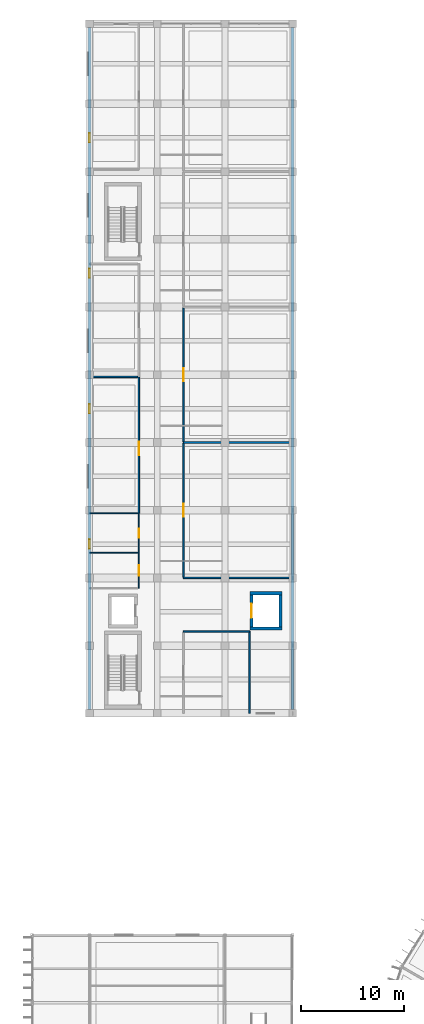
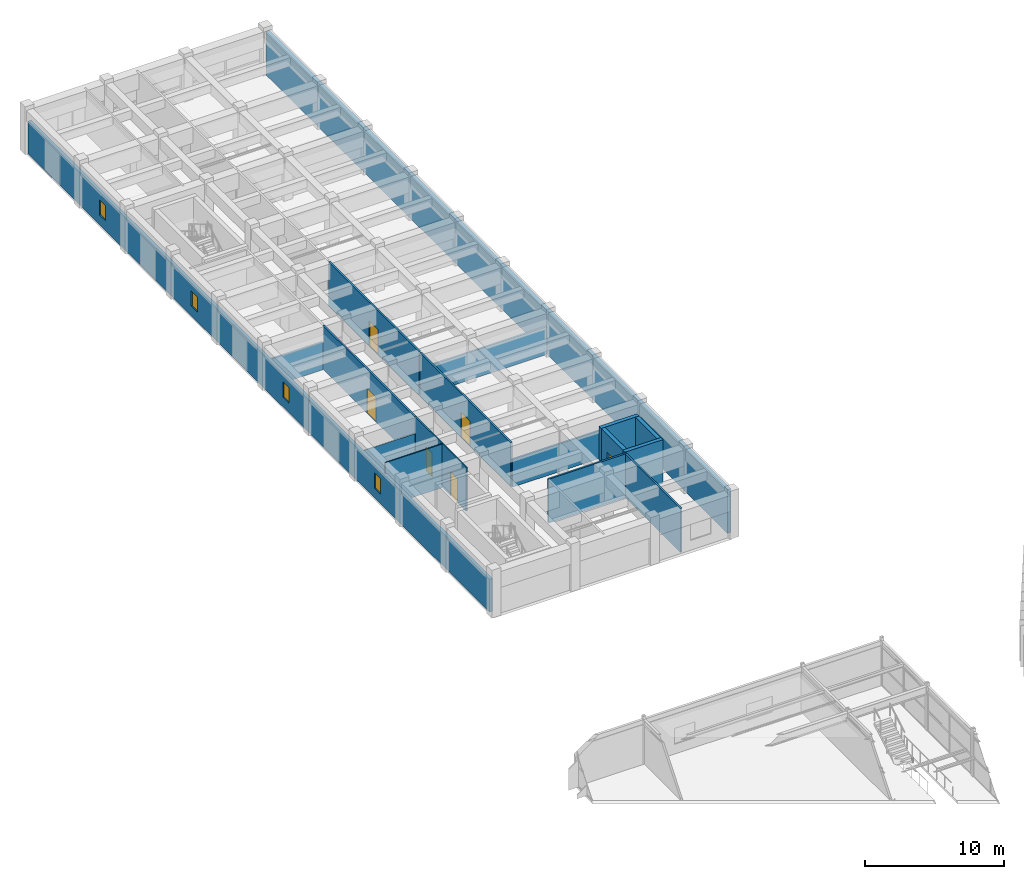
# One storey, part 127 of 148: 18 walls, 6 doors, 4 windows, 10 openings.
"""IFC4 building model written with IfcOpenShell, lengths in metres."""

import ifcopenshell
import ifcopenshell.guid

model = None  # the IFC model being written
_history = None  # IfcOwnerHistory: only IFC2X3 demands one
_inside = {}  # id of a spatial element -> (the spatial element, [elements in it])
_under = {}  # id of a project, library or spatial element -> (it, [spatial elements below it])
_declared = {}  # id of a project -> (the project, [libraries it declares])
_typed = {}  # id of a type object -> (the type object, [elements of that type])
_made_of = {}  # id of a material, layer set ... -> (it, [elements and type objects made of it])


def new_model(schema):
    """Start an empty IFC model of exactly this schema.

    Asked for "IFC4X3", IfcOpenShell would pick the latest addendum, in which some entities
    have other attributes; the version numbers below select the first issue.
    IFC2X3 requires an IfcOwnerHistory on every rooted entity: one is made here for all.
    """
    global model, _history
    if schema == "IFC4X3":
        model = ifcopenshell.file(schema_version=(4, 3, 0, 0))
    else:
        model = ifcopenshell.file(schema=schema)
    _inside.clear()
    _under.clear()
    _declared.clear()
    _typed.clear()
    _made_of.clear()
    _history = None
    if model.schema == "IFC2X3":
        org = make("IfcOrganization", Name="unknown")
        user = make(
            "IfcPersonAndOrganization",
            ThePerson=make("IfcPerson", FamilyName="unknown"),
            TheOrganization=org,
        )
        app = make(
            "IfcApplication",
            ApplicationDeveloper=org,
            Version="unknown",
            ApplicationFullName="unknown",
            ApplicationIdentifier="unknown",
        )
        _history = make(
            "IfcOwnerHistory",
            OwningUser=user,
            OwningApplication=app,
            ChangeAction="ADDED",
            CreationDate=0,
        )
    return model


def make(cls, **values):
    """One entity of the class cls with the attributes given. An attribute that is None is left unset."""
    return model.create_entity(
        cls, **{name: value for name, value in values.items() if value is not None}
    )


def rooted(cls, **values):
    """An entity with a GlobalId (a new one), such as an element, a storey or a relation."""
    return make(cls, GlobalId=ifcopenshell.guid.new(), OwnerHistory=_history, **values)


def si_unit(unit_type, name, prefix=None):
    """IfcSIUnit, for example si_unit("LENGTHUNIT", "METRE", prefix="MILLI")."""
    return make("IfcSIUnit", UnitType=unit_type, Prefix=prefix, Name=name)


def assignment(units):
    """IfcUnitAssignment: the units of a project."""
    return None if units is None else make("IfcUnitAssignment", Units=units)


def point(xyz):
    """IfcCartesianPoint."""
    return None if xyz is None else make("IfcCartesianPoint", Coordinates=xyz)


def direction(xyz):
    """IfcDirection."""
    return None if xyz is None else make("IfcDirection", DirectionRatios=xyz)


def frame(location, z_axis=None, x_axis=None):
    """IfcAxis2Placement3D, a coordinate frame: its origin and axes. An axis left out is left unset."""
    return make(
        "IfcAxis2Placement3D",
        Location=point(location),
        Axis=direction(z_axis),
        RefDirection=direction(x_axis),
    )


def frame_2d(location, x_axis=None):
    """IfcAxis2Placement2D, a coordinate frame in the plane: its origin and x axis."""
    return make(
        "IfcAxis2Placement2D", Location=point(location), RefDirection=direction(x_axis)
    )


def origin():
    """The frame at (0, 0, 0) with its axes left unset."""
    return frame((0.0, 0.0, 0.0))


def place(relative_to, where):
    """IfcLocalPlacement: puts the frame where relative to a parent placement (None: the world)."""
    return make(
        "IfcLocalPlacement", PlacementRelTo=relative_to, RelativePlacement=where
    )


def context(
    kind, dimensions, precision=None, world=None, true_north=None, identifier=None
):
    """IfcGeometricRepresentationContext, for example the 3D "Model" context."""
    return make(
        "IfcGeometricRepresentationContext",
        ContextIdentifier=identifier,
        ContextType=kind,
        CoordinateSpaceDimension=dimensions,
        Precision=precision,
        WorldCoordinateSystem=world,
        TrueNorth=true_north,
    )


def subcontext(parent, identifier, kind, view, scale=None):
    """IfcGeometricRepresentationSubContext, for example "Body" below "Model"."""
    return make(
        "IfcGeometricRepresentationSubContext",
        ContextIdentifier=identifier,
        ContextType=kind,
        ParentContext=parent,
        TargetScale=scale,
        TargetView=view,
    )


def project(units=None, contexts=None):
    """IfcProject with its units and contexts."""
    return rooted(
        "IfcProject",
        Name="project",
        RepresentationContexts=contexts,
        UnitsInContext=assignment(units),
    )


def spatial(cls, under=None, at=None, **own):
    """A site, building, storey or space (cls), placed at a placement, below another one or the project."""
    s = rooted(cls, ObjectPlacement=at, **own)
    if under is not None:
        _under.setdefault(under.id(), (under, []))[1].append(s)
    return s


def profile(cls, at=None, kind="AREA", **sizes):
    """A parametric profile (cls). Its sizes go by their IFC names, for example OverallWidth=200.0."""
    return make(cls, ProfileType=kind, Position=at, **sizes)


def rectangle(**sizes):
    """IfcRectangleProfileDef."""
    return profile("IfcRectangleProfileDef", **sizes)


def extrude(swept, where, along, depth):
    """IfcExtrudedAreaSolid: the profile swept, set in the frame where, extruded along a direction by depth."""
    return make(
        "IfcExtrudedAreaSolid",
        SweptArea=swept,
        Position=where,
        ExtrudedDirection=direction(along),
        Depth=depth,
    )


def shape(context_of_items, identifier, shape_type, items):
    """IfcShapeRepresentation: the items that make up one representation, for example the "Body"."""
    return make(
        "IfcShapeRepresentation",
        ContextOfItems=context_of_items,
        RepresentationIdentifier=identifier,
        RepresentationType=shape_type,
        Items=items,
    )


def material(Name=None, Category=None):
    """IfcMaterial."""
    return make("IfcMaterial", Name=Name, Category=Category)


def layer(
    of_material, thickness, ventilated=None, Name=None, Category=None, Priority=None
):
    """IfcMaterialLayer: one layer of a wall or slab, of a material (None: an air gap)."""
    return make(
        "IfcMaterialLayer",
        Material=of_material,
        LayerThickness=thickness,
        IsVentilated=ventilated,
        Name=Name,
        Category=Category,
        Priority=Priority,
    )


def layer_set(layers, Name=None):
    """IfcMaterialLayerSet."""
    return make("IfcMaterialLayerSet", MaterialLayers=layers, LayerSetName=Name)


def made_of(thing, what):
    """Note that an element or type object is made of a material, layer set ...; save() writes the relation."""
    if what is not None:
        _made_of.setdefault(what.id(), (what, []))[1].append(thing)
    return thing


def type_object(cls, material=None, **own):
    """A type object (cls), such as IfcWallType, which elements share."""
    return made_of(rooted(cls, **own), material)


def element(
    cls,
    number,
    at=None,
    inside=None,
    cuts=None,
    type_object=None,
    material=None,
    context=None,
    identifier="Body",
    shape_type=None,
    held_by="IfcProductDefinitionShape",
    body=None,
    shapes=None,
    **own,
):
    """One element of the class cls, such as IfcWall. Its Tag is "e" and its number.

    at: its placement. inside: the storey or other place that contains it. cuts: it is an
    opening in that element (IfcRelVoidsElement). A single representation is given by context,
    identifier, shape_type and body (its items); several are given by shapes. held_by: the class
    of the entity that holds the representations. save() writes the other relations.
    """
    e = rooted(cls, Tag="e%d" % number, ObjectPlacement=at, **own)
    if body is not None:
        shapes = [shape(context, identifier, shape_type, body)]
    if shapes is not None:
        e.Representation = make(held_by, Representations=shapes)
    if inside is not None:
        _inside.setdefault(inside.id(), (inside, []))[1].append(e)
    if cuts is not None:
        rooted(
            "IfcRelVoidsElement", RelatingBuildingElement=cuts, RelatedOpeningElement=e
        )
    if type_object is not None:
        _typed.setdefault(type_object.id(), (type_object, []))[1].append(e)
    return made_of(e, material)


def fill(opening, filler):
    """IfcRelFillsElement: the door or window that sits in an opening."""
    return rooted(
        "IfcRelFillsElement",
        RelatingOpeningElement=opening,
        RelatedBuildingElement=filler,
    )


def aggregate(whole, parts):
    """IfcRelAggregates: a whole, such as a stair, and the parts it consists of."""
    return rooted("IfcRelAggregates", RelatingObject=whole, RelatedObjects=parts)


def save(model, path):
    """Write the relations noted so far, then the file.

    IfcRelAggregates (storeys below a building ...), IfcRelContainedInSpatialStructure (elements
    in a storey), IfcRelDefinesByType, IfcRelAssociatesMaterial and IfcRelDeclares: one each for
    every whole, place, type object, material and project.
    """
    for whole, parts in _under.values():
        aggregate(whole, parts)
    for where, things in _inside.values():
        rooted(
            "IfcRelContainedInSpatialStructure",
            RelatedElements=things,
            RelatingStructure=where,
        )
    for kind, things in _typed.values():
        rooted("IfcRelDefinesByType", RelatedObjects=things, RelatingType=kind)
    for what, things in _made_of.values():
        rooted("IfcRelAssociatesMaterial", RelatedObjects=things, RelatingMaterial=what)
    for by, libraries in _declared.values():
        rooted("IfcRelDeclares", RelatingContext=by, RelatedDefinitions=libraries)
    model.write(path)


model = new_model("IFC4")

# Units and contexts
model_context = context("Model", 3, precision=1e-05, world=origin(), true_north=direction((0.0, 1.0)))
body_context = subcontext(model_context, "Body", "Model", "MODEL_VIEW")
ifc_project = project(units=[si_unit("LENGTHUNIT", "METRE"), si_unit("AREAUNIT", "SQUARE_METRE"), si_unit("VOLUMEUNIT", "CUBIC_METRE"), si_unit("PLANEANGLEUNIT", "RADIAN"), si_unit("MASSUNIT", "GRAM", prefix="KILO")], contexts=[model_context])

# Site, building, storey
site_placement = place(None, origin())
site = spatial("IfcSite", under=ifc_project, at=site_placement, CompositionType="ELEMENT")
building_placement = place(site_placement, origin())
building = spatial("IfcBuilding", under=site, at=building_placement, Name="Karori Crest Natural Sciences Institute", CompositionType="ELEMENT")
storey_placement = place(building_placement, frame((0.0, 0.0, 4.89990234375)))
storey = spatial("IfcBuildingStorey", under=building, at=storey_placement, Name="L01", CompositionType="ELEMENT", Elevation=4.89990234375)

# Walls
ifc_material_1 = material(Name="Concrete 50 MPa", Category="concrete")
ifc_layer_1 = layer(ifc_material_1, 0.320068359375, Name="Concrete 50 MPa")
ifc_layer_set_1 = layer_set([ifc_layer_1], Name="Concrete 50 MPa")
wall_type_1 = type_object("IfcWallType", Name="IWT-03", PredefinedType="SHEAR", material=ifc_layer_set_1)
for number, where, z_axis, x_axis, name in (
    (1, (23.02001953125, 103.280029296875, 0.0), (0.0, 0.0, 1.0), (1.0, 0.0, 0.0), "Shear wall IW-0527"),
    (2, (23.02001953125, 106.719970703125, 0.0), (0.0, 0.0, 1.0), (1.0, 0.0, 0.0), "Shear wall IW-0528"),
):
    element("IfcWall", number, at=place(storey_placement, frame(where, z_axis=z_axis, x_axis=x_axis)), inside=storey, type_object=wall_type_1, Name=name, PredefinedType="SHEAR", context=body_context, shape_type="SweptSolid", body=[
        extrude(rectangle(XDim=3.159912109375, YDim=0.320068359375, at=frame_2d((1.580078125, 0.0))), origin(), (0.0, 0.0, 1.0), 3.85009765625),
    ])

# Wall, opening, door
wall_1_placement = place(storey_placement, frame((23.179931640625, 103.44189453125, 0.0), z_axis=(0.0, 0.0, 1.0), x_axis=(0.0, 1.0, 0.0)))
wall_1 = element("IfcWall", 3, at=wall_1_placement, inside=storey, type_object=wall_type_1, Name="Shear wall IW-0529", PredefinedType="SHEAR", context=body_context, shape_type="SweptSolid", body=[
    extrude(rectangle(XDim=3.1162109375, YDim=0.320068359375, at=frame_2d((1.55810546875, 0.0))), origin(), (0.0, 0.0, 1.0), 3.85009765625),
])
opening_1_placement = place(wall_1_placement, frame((0.85791015625, 0.0, 0.0)))
opening_1 = element("IfcOpeningElement", 4, at=opening_1_placement, cuts=wall_1, Name="Opening LD-0058", PredefinedType="OPENING", context=body_context, shape_type="SweptSolid", body=[
    extrude(rectangle(XDim=1.39990234375, YDim=2.25, at=frame_2d((0.699951171875, 1.125))), frame((0.0, 0.169921875, 0.0), z_axis=(0.0, -1.0, 0.0), x_axis=(1.0, 0.0, 0.0)), (0.0, 0.0, 1.0), 0.340087890625),
])
ifc_material_2 = material(Name="Stainless steel 316 and fire-rated timber", Category="steel")
door_type_1 = type_object("IfcDoorType", Name="LDT-03", OperationType="DOUBLE_DOOR_SLIDING", PredefinedType="DOOR", material=ifc_material_2)
door_1_placement = place(opening_1_placement, origin())
door_1 = element("IfcDoor", 5, at=door_1_placement, inside=storey, type_object=door_type_1, Name="Lift LG-01 landing door LD-0058", OperationType="DOUBLE_DOOR_SLIDING", OverallHeight=2.25, OverallWidth=1.39990234375, PredefinedType="DOOR", context=body_context, shape_type="SweptSolid", body=[
    extrude(rectangle(XDim=1.39990234375, YDim=2.25, at=frame_2d((0.699951171875, 1.125))), frame((0.0, 0.02490234375, 0.0), z_axis=(0.0, -1.0, 0.0), x_axis=(1.0, 0.0, 0.0)), (0.0, 0.0, 1.0), 0.050048828125),
])
fill(opening_1, door_1)

# Walls
wall_2_placement = place(storey_placement, frame((26.02001953125, 103.44189453125, 0.0), z_axis=(0.0, 0.0, 1.0), x_axis=(0.0, 1.0, 0.0)))
element("IfcWall", 6, at=wall_2_placement, inside=storey, type_object=wall_type_1, Name="Shear wall IW-0530", PredefinedType="SHEAR", context=body_context, shape_type="SweptSolid", body=[
    extrude(rectangle(XDim=3.1162109375, YDim=0.320068359375, at=frame_2d((1.55810546875, 0.0))), origin(), (0.0, 0.0, 1.0), 3.85009765625),
])
ifc_material_3 = material(Name="Clean-room insulated fire partition")
ifc_layer_2 = layer(ifc_material_3, 0.14990234375, Name="Clean-room insulated fire partition")
ifc_layer_set_2 = layer_set([ifc_layer_2], Name="Clean-room insulated fire partition")
wall_type_2 = type_object("IfcWallType", Name="IWT-06", PredefinedType="PARTITIONING", material=ifc_layer_set_2)
wall_3_placement = place(storey_placement, frame((7.39990234375, 127.800048828125, 0.0), z_axis=(0.0, 0.0, 1.0), x_axis=(1.0, 0.0, 0.0)))
element("IfcWall", 7, at=wall_3_placement, inside=storey, type_object=wall_type_2, Name="Partition wall IW-0941", PredefinedType="PARTITIONING", context=body_context, shape_type="SweptSolid", body=[
    extrude(rectangle(XDim=4.697998046875, YDim=0.14990234375, at=frame_2d((2.34912109375, 0.0))), origin(), (0.0, 0.0, 1.0), 2.43505859375),
])

# Wall, opening, door
wall_4_placement = place(storey_placement, frame((12.199951171875, 114.501953125, 0.0), z_axis=(0.0, 0.0, 1.0), x_axis=(0.0, 1.0, 0.0)))
wall_4 = element("IfcWall", 8, at=wall_4_placement, inside=storey, type_object=wall_type_2, Name="Partition wall IW-0942", PredefinedType="PARTITIONING", context=body_context, shape_type="SweptSolid", body=[
    extrude(rectangle(XDim=13.298095703125, YDim=0.14990234375, at=frame_2d((6.64892578125, 0.0))), origin(), (0.0, 0.0, 1.0), 3.85009765625),
])
opening_2_placement = place(wall_4_placement, frame((5.64892578125, 0.0, 0.0)))
opening_2 = element("IfcOpeningElement", 9, at=opening_2_placement, cuts=wall_4, Name="Opening ID-0244", PredefinedType="OPENING", context=body_context, shape_type="SweptSolid", body=[
    extrude(rectangle(XDim=1.300048828125, YDim=2.199951171875, at=frame_2d((0.64990234375, 1.10009765625))), frame((0.0, 0.0849609375, 0.0), z_axis=(0.0, -1.0, 0.0), x_axis=(1.0, 0.0, 0.0)), (0.0, 0.0, 1.0), 0.169921875),
])
door_type_2 = type_object("IfcDoorType", Name="IDT-04", OperationType="NOTDEFINED", PredefinedType="DOOR", material=ifc_material_2)
door_2_placement = place(opening_2_placement, origin())
door_2 = element("IfcDoor", 10, at=door_2_placement, inside=storey, type_object=door_type_2, Name="Clean-Room Gowning Airlock Suite door ID-0244", OperationType="SINGLE_SWING_RIGHT", OverallHeight=2.199951171875, OverallWidth=1.300048828125, PredefinedType="DOOR", context=body_context, shape_type="SweptSolid", body=[
    extrude(rectangle(XDim=1.300048828125, YDim=2.199951171875, at=frame_2d((0.64990234375, 1.10009765625))), frame((0.0, 0.02490234375, 0.0), z_axis=(0.0, -1.0, 0.0), x_axis=(1.0, 0.0, 0.0)), (0.0, 0.0, 1.0), 0.050048828125),
])
fill(opening_2, door_2)

# Walls
wall_5_placement = place(storey_placement, frame((16.550048828125, 103.0, 0.0), z_axis=(0.0, 0.0, 1.0), x_axis=(1.0, 0.0, 0.0)))
element("IfcWall", 11, at=wall_5_placement, inside=storey, type_object=wall_type_2, Name="Partition wall IW-0947", PredefinedType="PARTITIONING", context=body_context, shape_type="SweptSolid", body=[
    extrude(rectangle(XDim=6.449951171875, YDim=0.14990234375, at=frame_2d((3.22509765625, 0.0))), origin(), (0.0, 0.0, 1.0), 3.85009765625),
])
wall_6_placement = place(storey_placement, frame((23.0, 95.0, 0.0), z_axis=(0.0, 0.0, 1.0), x_axis=(0.0, 1.0, 0.0)))
element("IfcWall", 12, at=wall_6_placement, inside=storey, type_object=wall_type_2, Name="Partition wall IW-0949", PredefinedType="PARTITIONING", context=body_context, shape_type="SweptSolid", body=[
    extrude(rectangle(XDim=8.0, YDim=0.14990234375, at=frame_2d((4.0, 0.0))), origin(), (0.0, 0.0, 1.0), 3.85009765625),
])
for number, where, z_axis, x_axis, name in (
    (13, (16.550048828125, 108.199951171875, 0.0), (0.0, 0.0, 1.0), (1.0, 0.0, 0.0), "Partition wall IW-0950"),
    (14, (16.550048828125, 121.39990234375, 0.0), (0.0, 0.0, 1.0), (1.0, 0.0, 0.0), "Partition wall IW-0951"),
):
    element("IfcWall", number, at=place(storey_placement, frame(where, z_axis=z_axis, x_axis=x_axis)), inside=storey, type_object=wall_type_2, Name=name, PredefinedType="PARTITIONING", context=body_context, shape_type="SweptSolid", body=[
        extrude(rectangle(XDim=10.508056640625, YDim=0.14990234375, at=frame_2d((5.25390625, 0.0))), origin(), (0.0, 0.0, 1.0), 2.43505859375),
    ])

# Wall, opening, door
wall_7_placement = place(storey_placement, frame((16.550048828125, 108.277099609375, 0.0), z_axis=(0.0, 0.0, 1.0), x_axis=(0.0, 1.0, 0.0)))
wall_7 = element("IfcWall", 15, at=wall_7_placement, inside=storey, type_object=wall_type_2, Name="Partition wall IW-0952", PredefinedType="PARTITIONING", context=body_context, shape_type="SweptSolid", body=[
    extrude(rectangle(XDim=13.0458984375, YDim=0.14990234375, at=frame_2d((6.52294921875, 0.0))), origin(), (0.0, 0.0, 1.0), 3.85009765625),
])
opening_3_placement = place(wall_7_placement, frame((5.873046875, 0.0, 0.0)))
opening_3 = element("IfcOpeningElement", 16, at=opening_3_placement, cuts=wall_7, Name="Opening ID-0248", PredefinedType="OPENING", context=body_context, shape_type="SweptSolid", body=[
    extrude(rectangle(XDim=1.300048828125, YDim=2.199951171875, at=frame_2d((0.64990234375, 1.10009765625))), frame((0.0, 0.0849609375, 0.0), z_axis=(0.0, -1.0, 0.0), x_axis=(1.0, 0.0, 0.0)), (0.0, 0.0, 1.0), 0.169921875),
])
door_3_placement = place(opening_3_placement, origin())
door_3 = element("IfcDoor", 17, at=door_3_placement, inside=storey, type_object=door_type_2, Name="Laser Interferometry Metrology Suite door ID-0248", OperationType="SINGLE_SWING_RIGHT", OverallHeight=2.199951171875, OverallWidth=1.300048828125, PredefinedType="DOOR", context=body_context, shape_type="SweptSolid", body=[
    extrude(rectangle(XDim=1.300048828125, YDim=2.199951171875, at=frame_2d((0.64990234375, 1.10009765625))), frame((0.0, 0.02490234375, 0.0), z_axis=(0.0, -1.0, 0.0), x_axis=(1.0, 0.0, 0.0)), (0.0, 0.0, 1.0), 0.050048828125),
])
fill(opening_3, door_3)

wall_8_placement = place(storey_placement, frame((16.550048828125, 121.47705078125, 0.0), z_axis=(0.0, 0.0, 1.0), x_axis=(0.0, 1.0, 0.0)))
wall_8 = element("IfcWall", 18, at=wall_8_placement, inside=storey, type_object=wall_type_2, Name="Partition wall IW-0954", PredefinedType="PARTITIONING", context=body_context, shape_type="SweptSolid", body=[
    extrude(rectangle(XDim=13.0458984375, YDim=0.14990234375, at=frame_2d((6.52294921875, 0.0))), origin(), (0.0, 0.0, 1.0), 3.85009765625),
])
opening_4_placement = place(wall_8_placement, frame((5.873046875, 0.0, 0.0)))
opening_4 = element("IfcOpeningElement", 19, at=opening_4_placement, cuts=wall_8, Name="Opening ID-0249", PredefinedType="OPENING", context=body_context, shape_type="SweptSolid", body=[
    extrude(rectangle(XDim=1.300048828125, YDim=2.199951171875, at=frame_2d((0.64990234375, 1.10009765625))), frame((0.0, 0.0849609375, 0.0), z_axis=(0.0, -1.0, 0.0), x_axis=(1.0, 0.0, 0.0)), (0.0, 0.0, 1.0), 0.169921875),
])
door_4_placement = place(opening_4_placement, origin())
door_4 = element("IfcDoor", 20, at=door_4_placement, inside=storey, type_object=door_type_2, Name="Electron Microscopy Clean Room door ID-0249", OperationType="SINGLE_SWING_LEFT", OverallHeight=2.199951171875, OverallWidth=1.300048828125, PredefinedType="DOOR", context=body_context, shape_type="SweptSolid", body=[
    extrude(rectangle(XDim=1.300048828125, YDim=2.199951171875, at=frame_2d((0.64990234375, 1.10009765625))), frame((0.0, 0.02490234375, 0.0), z_axis=(0.0, -1.0, 0.0), x_axis=(1.0, 0.0, 0.0)), (0.0, 0.0, 1.0), 0.050048828125),
])
fill(opening_4, door_4)

# Wall
ifc_material_4 = material(Name="Washroom moisture-resistant partition")
ifc_layer_3 = layer(ifc_material_4, 0.10009765625, Name="Washroom moisture-resistant partition")
ifc_layer_set_3 = layer_set([ifc_layer_3], Name="Washroom moisture-resistant partition")
wall_type_3 = type_object("IfcWallType", Name="IWT-09", PredefinedType="PARTITIONING", material=ifc_layer_set_3)
wall_9_placement = place(storey_placement, frame((7.39990234375, 110.64990234375, 0.0), z_axis=(0.0, 0.0, 1.0), x_axis=(1.0, 0.0, 0.0)))
element("IfcWall", 21, at=wall_9_placement, inside=storey, type_object=wall_type_3, Name="Partition wall IW-0937", PredefinedType="PARTITIONING", context=body_context, shape_type="SweptSolid", body=[
    extrude(rectangle(XDim=4.697998046875, YDim=0.10009765625, at=frame_2d((2.34912109375, 0.0))), origin(), (0.0, 0.0, 1.0), 3.85009765625),
])

# Wall, opening, door
wall_10_placement = place(storey_placement, frame((12.199951171875, 107.199951171875, 0.0), z_axis=(0.0, 0.0, 1.0), x_axis=(0.0, 1.0, 0.0)))
wall_10 = element("IfcWall", 22, at=wall_10_placement, inside=storey, type_object=wall_type_3, Name="Partition wall IW-0938", PredefinedType="PARTITIONING", context=body_context, shape_type="SweptSolid", body=[
    extrude(rectangle(XDim=3.449951171875, YDim=0.10009765625, at=frame_2d((1.72509765625, 0.0))), origin(), (0.0, 0.0, 1.0), 3.85009765625),
])
opening_5_placement = place(wall_10_placement, frame((1.22509765625, 0.0, 0.0)))
opening_5 = element("IfcOpeningElement", 23, at=opening_5_placement, cuts=wall_10, Name="Opening ID-0242", PredefinedType="OPENING", context=body_context, shape_type="SweptSolid", body=[
    extrude(rectangle(XDim=1.0, YDim=2.10009765625, at=frame_2d((0.5, 1.050048828125))), frame((0.0, 0.06005859375, 0.0), z_axis=(0.0, -1.0, 0.0), x_axis=(1.0, 0.0, 0.0)), (0.0, 0.0, 1.0), 0.1201171875),
])
ifc_material_5 = material(Name="Anodised aluminium and acoustic timber", Category="wood")
door_type_3 = type_object("IfcDoorType", Name="IDT-09", OperationType="NOTDEFINED", PredefinedType="DOOR", material=ifc_material_5)
door_5_placement = place(opening_5_placement, origin())
door_5 = element("IfcDoor", 24, at=door_5_placement, inside=storey, type_object=door_type_3, Name="Accessible WC door ID-0242", OperationType="SINGLE_SWING_RIGHT", OverallHeight=2.10009765625, OverallWidth=1.0, PredefinedType="DOOR", context=body_context, shape_type="SweptSolid", body=[
    extrude(rectangle(XDim=1.0, YDim=2.10009765625, at=frame_2d((0.5, 1.050048828125))), frame((0.0, 0.02490234375, 0.0), z_axis=(0.0, -1.0, 0.0), x_axis=(1.0, 0.0, 0.0)), (0.0, 0.0, 1.0), 0.050048828125),
])
fill(opening_5, door_5)

# Wall
wall_11_placement = place(storey_placement, frame((7.39990234375, 114.5, 0.0), z_axis=(0.0, 0.0, 1.0), x_axis=(1.0, 0.0, 0.0)))
element("IfcWall", 25, at=wall_11_placement, inside=storey, type_object=wall_type_3, Name="Partition wall IW-0939", PredefinedType="PARTITIONING", context=body_context, shape_type="SweptSolid", body=[
    extrude(rectangle(XDim=4.697998046875, YDim=0.10009765625, at=frame_2d((2.34912109375, 0.0))), origin(), (0.0, 0.0, 1.0), 2.43505859375),
])

# Wall, opening, door
wall_12_placement = place(storey_placement, frame((12.199951171875, 110.652099609375, 0.0), z_axis=(0.0, 0.0, 1.0), x_axis=(0.0, 1.0, 0.0)))
wall_12 = element("IfcWall", 26, at=wall_12_placement, inside=storey, type_object=wall_type_3, Name="Partition wall IW-0940", PredefinedType="PARTITIONING", context=body_context, shape_type="SweptSolid", body=[
    extrude(rectangle(XDim=3.847900390625, YDim=0.10009765625, at=frame_2d((1.923828125, 0.0))), origin(), (0.0, 0.0, 1.0), 3.85009765625),
])
opening_6_placement = place(wall_12_placement, frame((1.48388671875, 0.0, 0.0)))
opening_6 = element("IfcOpeningElement", 27, at=opening_6_placement, cuts=wall_12, Name="Opening ID-0243", PredefinedType="OPENING", context=body_context, shape_type="SweptSolid", body=[
    extrude(rectangle(XDim=0.8798828125, YDim=2.080078125, at=frame_2d((0.43994140625, 1.0400390625))), frame((0.0, 0.06005859375, 0.0), z_axis=(0.0, -1.0, 0.0), x_axis=(1.0, 0.0, 0.0)), (0.0, 0.0, 1.0), 0.1201171875),
])
door_type_4 = type_object("IfcDoorType", Name="IDT-10", OperationType="NOTDEFINED", PredefinedType="DOOR", material=ifc_material_5)
door_6_placement = place(opening_6_placement, origin())
door_6 = element("IfcDoor", 28, at=door_6_placement, inside=storey, type_object=door_type_4, Name="Unisex Washroom WC door ID-0243", OperationType="SINGLE_SWING_LEFT", OverallHeight=2.080078125, OverallWidth=0.8798828125, PredefinedType="DOOR", context=body_context, shape_type="SweptSolid", body=[
    extrude(rectangle(XDim=0.8798828125, YDim=2.080078125, at=frame_2d((0.43994140625, 1.0400390625))), frame((0.0, 0.02490234375, 0.0), z_axis=(0.0, -1.0, 0.0), x_axis=(1.0, 0.0, 0.0)), (0.0, 0.0, 1.0), 0.050048828125),
])
fill(opening_6, door_6)

# Wall
ifc_material_6 = material(Name="Precast concrete 40 MPa", Category="concrete")
ifc_layer_4 = layer(ifc_material_6, 0.300048828125, Name="Precast concrete 40 MPa")
ifc_layer_set_4 = layer_set([ifc_layer_4], Name="Precast concrete 40 MPa")
wall_type_4 = type_object("IfcWallType", Name="WT-01", PredefinedType="SOLIDWALL", material=ifc_layer_set_4)
wall_13_placement = place(storey_placement, frame((27.199951171875, 161.826904296875, 0.0), z_axis=(0.0, 0.0, 1.0), x_axis=(0.0, -1.0, 0.0)))
element("IfcWall", 29, at=wall_13_placement, inside=storey, type_object=wall_type_4, Name="Exterior wall EW-0161", PredefinedType="SOLIDWALL", context=body_context, shape_type="SweptSolid", body=[
    extrude(rectangle(XDim=66.453857421875, YDim=0.300048828125, at=frame_2d((33.22705078125, 0.0))), origin(), (0.0, 0.0, 1.0), 3.840087890625),
])

# Wall, openings, windows
ifc_layer_5 = layer(ifc_material_6, 0.260009765625, Name="Precast concrete 40 MPa")
ifc_layer_set_5 = layer_set([ifc_layer_5], Name="Precast concrete 40 MPa")
wall_type_5 = type_object("IfcWallType", Name="WT-03", PredefinedType="SOLIDWALL", material=ifc_layer_set_5)
wall_14_placement = place(storey_placement, frame((7.39990234375, 95.373046875, 0.0), z_axis=(0.0, 0.0, 1.0), x_axis=(0.0, 1.0, 0.0)))
wall_14 = element("IfcWall", 30, at=wall_14_placement, inside=storey, type_object=wall_type_5, Name="Exterior wall EW-0162", PredefinedType="SOLIDWALL", context=body_context, shape_type="SweptSolid", body=[
    extrude(rectangle(XDim=66.453857421875, YDim=0.260009765625, at=frame_2d((33.22705078125, 0.0))), origin(), (0.0, 0.0, 1.0), 2.885009765625),
])
opening_7_placement = place(wall_14_placement, frame((15.677001953125, 0.0, 0.85009765625)))
opening_7 = element("IfcOpeningElement", 31, at=opening_7_placement, cuts=wall_14, Name="Opening WN-0098", PredefinedType="OPENING", context=body_context, shape_type="SweptSolid", body=[
    extrude(rectangle(XDim=0.89990234375, YDim=1.35009765625, at=frame_2d((0.449951171875, 0.675048828125))), frame((0.0, 0.14013671875, 0.0), z_axis=(0.0, -1.0, 0.0), x_axis=(1.0, 0.0, 0.0)), (0.0, 0.0, 1.0), 0.280029296875),
])
opening_8_placement = place(wall_14_placement, frame((28.876953125, 0.0, 0.85009765625)))
opening_8 = element("IfcOpeningElement", 32, at=opening_8_placement, cuts=wall_14, Name="Opening WN-0099", PredefinedType="OPENING", context=body_context, shape_type="SweptSolid", body=[
    extrude(rectangle(XDim=0.89990234375, YDim=1.35009765625, at=frame_2d((0.449951171875, 0.675048828125))), frame((0.0, 0.14013671875, 0.0), z_axis=(0.0, -1.0, 0.0), x_axis=(1.0, 0.0, 0.0)), (0.0, 0.0, 1.0), 0.280029296875),
])
opening_9_placement = place(wall_14_placement, frame((42.076904296875, 0.0, 0.85009765625)))
opening_9 = element("IfcOpeningElement", 33, at=opening_9_placement, cuts=wall_14, Name="Opening WN-0100", PredefinedType="OPENING", context=body_context, shape_type="SweptSolid", body=[
    extrude(rectangle(XDim=0.89990234375, YDim=1.35009765625, at=frame_2d((0.449951171875, 0.675048828125))), frame((0.0, 0.14013671875, 0.0), z_axis=(0.0, -1.0, 0.0), x_axis=(1.0, 0.0, 0.0)), (0.0, 0.0, 1.0), 0.280029296875),
])
opening_10_placement = place(wall_14_placement, frame((55.277099609375, 0.0, 0.85009765625)))
opening_10 = element("IfcOpeningElement", 34, at=opening_10_placement, cuts=wall_14, Name="Opening WN-0101", PredefinedType="OPENING", context=body_context, shape_type="SweptSolid", body=[
    extrude(rectangle(XDim=0.89990234375, YDim=1.35009765625, at=frame_2d((0.449951171875, 0.675048828125))), frame((0.0, 0.14013671875, 0.0), z_axis=(0.0, -1.0, 0.0), x_axis=(1.0, 0.0, 0.0)), (0.0, 0.0, 1.0), 0.280029296875),
])
ifc_material_7 = material(Name="Double low-E laminated glass", Category="glass")
window_type = type_object("IfcWindowType", Name="WNT-17", PartitioningType="SINGLE_PANEL", PredefinedType="WINDOW", material=ifc_material_7)
window_1_placement = place(opening_7_placement, origin())
window_1 = element("IfcWindow", 35, at=window_1_placement, inside=storey, type_object=window_type, Name="Window WN-0098", OverallHeight=1.35009765625, OverallWidth=0.89990234375, PartitioningType="SINGLE_PANEL", PredefinedType="WINDOW", context=body_context, shape_type="SweptSolid", body=[
    extrude(rectangle(XDim=0.89990234375, YDim=1.35009765625, at=frame_2d((0.449951171875, 0.675048828125))), frame((0.0, 0.030029296875, 0.0), z_axis=(0.0, -1.0, 0.0), x_axis=(1.0, 0.0, 0.0)), (0.0, 0.0, 1.0), 0.06005859375),
])
fill(opening_7, window_1)
window_2_placement = place(opening_8_placement, origin())
window_2 = element("IfcWindow", 36, at=window_2_placement, inside=storey, type_object=window_type, Name="Window WN-0099", OverallHeight=1.35009765625, OverallWidth=0.89990234375, PartitioningType="SINGLE_PANEL", PredefinedType="WINDOW", context=body_context, shape_type="SweptSolid", body=[
    extrude(rectangle(XDim=0.89990234375, YDim=1.35009765625, at=frame_2d((0.449951171875, 0.675048828125))), frame((0.0, 0.030029296875, 0.0), z_axis=(0.0, -1.0, 0.0), x_axis=(1.0, 0.0, 0.0)), (0.0, 0.0, 1.0), 0.06005859375),
])
fill(opening_8, window_2)
window_3_placement = place(opening_9_placement, origin())
window_3 = element("IfcWindow", 37, at=window_3_placement, inside=storey, type_object=window_type, Name="Window WN-0100", OverallHeight=1.35009765625, OverallWidth=0.89990234375, PartitioningType="SINGLE_PANEL", PredefinedType="WINDOW", context=body_context, shape_type="SweptSolid", body=[
    extrude(rectangle(XDim=0.89990234375, YDim=1.35009765625, at=frame_2d((0.449951171875, 0.675048828125))), frame((0.0, 0.030029296875, 0.0), z_axis=(0.0, -1.0, 0.0), x_axis=(1.0, 0.0, 0.0)), (0.0, 0.0, 1.0), 0.06005859375),
])
fill(opening_9, window_3)
window_4_placement = place(opening_10_placement, origin())
window_4 = element("IfcWindow", 38, at=window_4_placement, inside=storey, type_object=window_type, Name="Window WN-0101", OverallHeight=1.35009765625, OverallWidth=0.89990234375, PartitioningType="SINGLE_PANEL", PredefinedType="WINDOW", context=body_context, shape_type="SweptSolid", body=[
    extrude(rectangle(XDim=0.89990234375, YDim=1.35009765625, at=frame_2d((0.449951171875, 0.675048828125))), frame((0.0, 0.030029296875, 0.0), z_axis=(0.0, -1.0, 0.0), x_axis=(1.0, 0.0, 0.0)), (0.0, 0.0, 1.0), 0.06005859375),
])
fill(opening_10, window_4)

save(model, "model.ifc")
